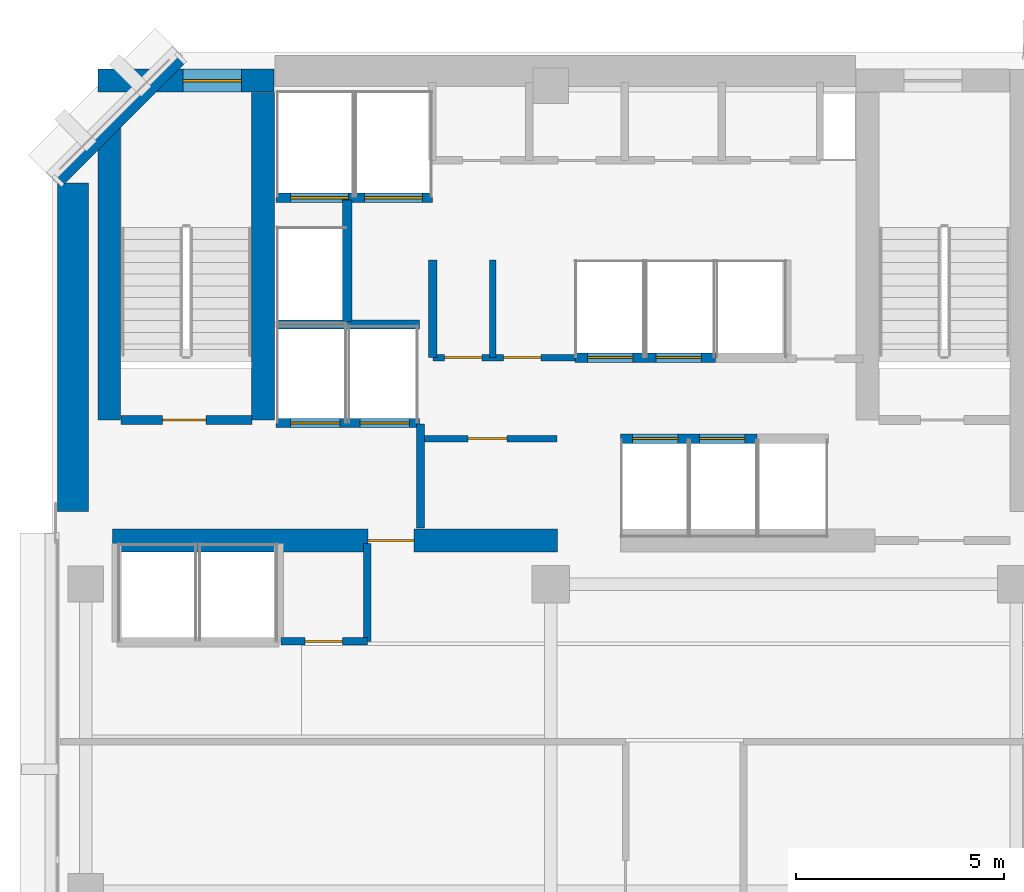
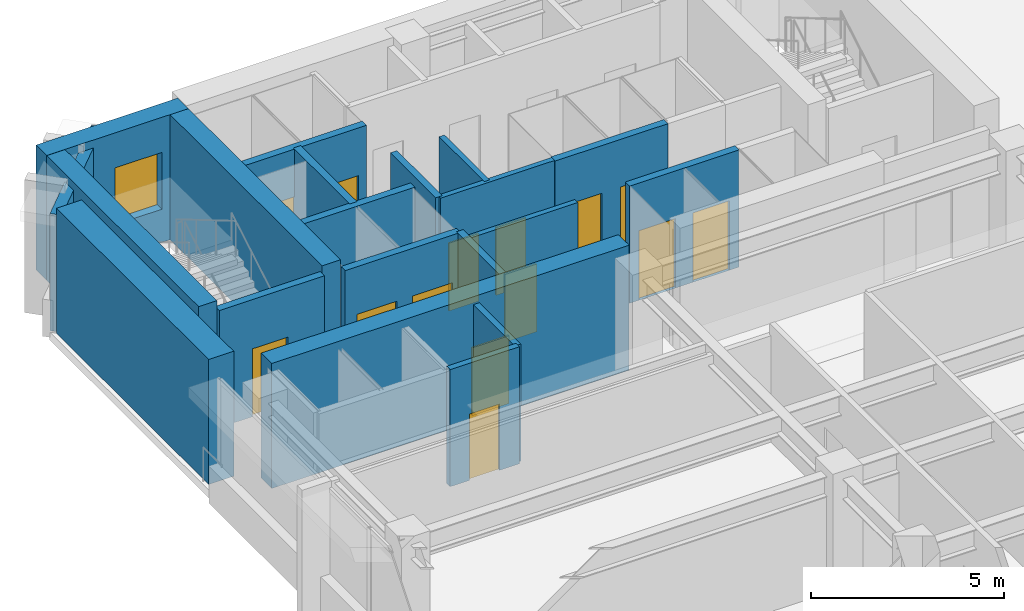
# One storey, part 7 of 11: 20 walls, 14 doors, 1 window, 15 openings.
"""IFC4 building model written with IfcOpenShell, lengths in metres."""

from ifc_helpers import new_model, si_unit, direction, frame, frame_2d, origin, place, context, subcontext, project, spatial, rectangle, extrude, material, layer, layer_set, type_object, element, fill, save


model = new_model("IFC4")

# Units and contexts
model_context = context("Model", 3, precision=1e-05, world=origin(), true_north=direction((0.0, 1.0)))
body_context = subcontext(model_context, "Body", "Model", "MODEL_VIEW")
ifc_project = project(units=[si_unit("LENGTHUNIT", "METRE"), si_unit("AREAUNIT", "SQUARE_METRE"), si_unit("VOLUMEUNIT", "CUBIC_METRE"), si_unit("PLANEANGLEUNIT", "RADIAN"), si_unit("MASSUNIT", "GRAM", prefix="KILO")], contexts=[model_context])

# Site, building, storey
site_placement = place(None, origin())
site = spatial("IfcSite", under=ifc_project, at=site_placement, CompositionType="ELEMENT")
building_placement = place(site_placement, origin())
building = spatial("IfcBuilding", under=site, at=building_placement, Name="Kefirva Bronze Tower", CompositionType="ELEMENT")
storey_placement = place(building_placement, frame((0.0, 0.0, 166.64990234375)))
storey = spatial("IfcBuildingStorey", under=building, at=storey_placement, Name="L40", CompositionType="ELEMENT", Elevation=166.64990234375)

# Wall, opening, door
ifc_material_1 = material(Name="Gypsum fireboard shaftwall")
ifc_layer_1 = layer(ifc_material_1, 0.219970703125, Name="Gypsum fireboard shaftwall")
ifc_layer_set_1 = layer_set([ifc_layer_1], Name="Gypsum fireboard shaftwall")
wall_type_1 = type_object("IfcWallType", Name="Fire-Rated Shaft Enclosure Wall 220mm", PredefinedType="PARTITIONING", material=ifc_layer_set_1)
wall_1_placement = place(storey_placement, frame((1.64990234375, 37.14990234375, 0.0), z_axis=(0.0, 0.0, 1.0), x_axis=(1.0, 0.0, 0.0)))
wall_1 = element("IfcWall", 1, at=wall_1_placement, inside=storey, type_object=wall_type_1, Name="L40 Partition W-L40-ST1S", PredefinedType="PARTITIONING", context=body_context, shape_type="SweptSolid", body=[
    extrude(rectangle(XDim=3.150146484375, YDim=0.219970703125, at=frame_2d((1.5751953125, 0.0))), origin(), (0.0, 0.0, 1.0), 3.710205078125),
])
opening_1_placement = place(wall_1_placement, frame((2.050048828125, 0.0, 0.0), z_axis=(0.0, 0.0, 1.0), x_axis=(-1.0, 0.0, 0.0)))
opening_1 = element("IfcOpeningElement", 2, at=opening_1_placement, cuts=wall_1, Name="Opening L40-D001", PredefinedType="OPENING", context=body_context, shape_type="SweptSolid", body=[
    extrude(rectangle(XDim=1.050048828125, YDim=2.14990234375, at=frame_2d((0.52490234375, 1.074951171875))), frame((0.0, 0.1201171875, 0.0), z_axis=(0.0, -1.0, 0.0), x_axis=(1.0, 0.0, 0.0)), (0.0, 0.0, 1.0), 0.239990234375),
])
ifc_material_2 = material(Name="Painted galvanized steel", Category="steel")
door_type_1 = type_object("IfcDoorType", Name="Fire Stair Enclosure Door 1050x2150 FD90S", OperationType="NOTDEFINED", PredefinedType="DOOR", material=ifc_material_2)
door_1_placement = place(opening_1_placement, origin())
door_1 = element("IfcDoor", 3, at=door_1_placement, inside=storey, type_object=door_type_1, Name="Door L40-D001", OperationType="SINGLE_SWING_RIGHT", OverallHeight=2.14990234375, OverallWidth=1.050048828125, PredefinedType="DOOR", context=body_context, shape_type="SweptSolid", body=[
    extrude(rectangle(XDim=1.050048828125, YDim=2.14990234375, at=frame_2d((0.52490234375, 1.074951171875))), frame((0.0, 0.02490234375, 0.0), z_axis=(0.0, -1.0, 0.0), x_axis=(1.0, 0.0, 0.0)), (0.0, 0.0, 1.0), 0.050048828125),
])
fill(opening_1, door_1)

# Wall, openings, doors
wall_2_placement = place(storey_placement, frame((5.3798828125, 37.080078125, 0.0), z_axis=(0.0, 0.0, 1.0), x_axis=(1.0, 0.0, 0.0)))
wall_2 = element("IfcWall", 4, at=wall_2_placement, inside=storey, type_object=wall_type_1, Name="L40 Partition W-L40-FFS", PredefinedType="PARTITIONING", context=body_context, shape_type="SweptSolid", body=[
    extrude(rectangle(XDim=3.460205078125, YDim=0.219970703125, at=frame_2d((1.72998046875, 0.0))), origin(), (0.0, 0.0, 1.0), 3.710205078125),
])
opening_2_placement = place(wall_2_placement, frame((1.550048828125, 0.0, 0.0), z_axis=(0.0, 0.0, 1.0), x_axis=(-1.0, 0.0, 0.0)))
opening_2 = element("IfcOpeningElement", 5, at=opening_2_placement, cuts=wall_2, Name="Opening L40-LD-FF1", PredefinedType="OPENING", context=body_context, shape_type="SweptSolid", body=[
    extrude(rectangle(XDim=1.199951171875, YDim=2.199951171875, at=frame_2d((0.60009765625, 1.10009765625))), frame((0.0, 0.1201171875, 0.0), z_axis=(0.0, -1.0, 0.0), x_axis=(1.0, 0.0, 0.0)), (0.0, 0.0, 1.0), 0.239990234375),
])
opening_3_placement = place(wall_2_placement, frame((3.219970703125, 0.0, 0.0), z_axis=(0.0, 0.0, 1.0), x_axis=(-1.0, 0.0, 0.0)))
opening_3 = element("IfcOpeningElement", 6, at=opening_3_placement, cuts=wall_2, Name="Opening L40-LD-FF2", PredefinedType="OPENING", context=body_context, shape_type="SweptSolid", body=[
    extrude(rectangle(XDim=1.199951171875, YDim=2.199951171875, at=frame_2d((0.60009765625, 1.10009765625))), frame((0.0, 0.1201171875, 0.0), z_axis=(0.0, -1.0, 0.0), x_axis=(1.0, 0.0, 0.0)), (0.0, 0.0, 1.0), 0.239990234375),
])
ifc_material_3 = material(Name="Stainless steel 316", Category="steel")
door_type_2 = type_object("IfcDoorType", Name="Firefighting Lift Sliding Door 1200x2200", OperationType="SLIDING_TO_RIGHT", PredefinedType="DOOR", material=ifc_material_3)
door_2_placement = place(opening_2_placement, origin())
door_2 = element("IfcDoor", 7, at=door_2_placement, inside=storey, type_object=door_type_2, Name="Door L40-LD-FF1", OperationType="SLIDING_TO_RIGHT", OverallHeight=2.199951171875, OverallWidth=1.199951171875, PredefinedType="DOOR", context=body_context, shape_type="SweptSolid", body=[
    extrude(rectangle(XDim=1.199951171875, YDim=2.199951171875, at=frame_2d((0.60009765625, 1.10009765625))), frame((0.0, 0.02490234375, 0.0), z_axis=(0.0, -1.0, 0.0), x_axis=(1.0, 0.0, 0.0)), (0.0, 0.0, 1.0), 0.050048828125),
])
fill(opening_2, door_2)
door_3_placement = place(opening_3_placement, origin())
door_3 = element("IfcDoor", 8, at=door_3_placement, inside=storey, type_object=door_type_2, Name="Door L40-LD-FF2", OperationType="SLIDING_TO_RIGHT", OverallHeight=2.199951171875, OverallWidth=1.199951171875, PredefinedType="DOOR", context=body_context, shape_type="SweptSolid", body=[
    extrude(rectangle(XDim=1.199951171875, YDim=2.199951171875, at=frame_2d((0.60009765625, 1.10009765625))), frame((0.0, 0.02490234375, 0.0), z_axis=(0.0, -1.0, 0.0), x_axis=(1.0, 0.0, 0.0)), (0.0, 0.0, 1.0), 0.050048828125),
])
fill(opening_3, door_3)

# Wall
wall_3_placement = place(storey_placement, frame((5.3798828125, 39.449951171875, 0.0), z_axis=(0.0, 0.0, 1.0), x_axis=(1.0, 0.0, 0.0)))
element("IfcWall", 9, at=wall_3_placement, inside=storey, type_object=wall_type_1, Name="L40 Partition W-L40-FFN", PredefinedType="PARTITIONING", context=body_context, shape_type="SweptSolid", body=[
    extrude(rectangle(XDim=3.460205078125, YDim=0.219970703125, at=frame_2d((1.72998046875, 0.0))), origin(), (0.0, 0.0, 1.0), 3.710205078125),
])

# Wall, openings, doors
wall_4_placement = place(storey_placement, frame((5.3798828125, 42.5, 0.0), z_axis=(0.0, 0.0, 1.0), x_axis=(1.0, 0.0, 0.0)))
wall_4 = element("IfcWall", 10, at=wall_4_placement, inside=storey, type_object=wall_type_1, Name="L40 Partition W-L40-SVS", PredefinedType="PARTITIONING", context=body_context, shape_type="SweptSolid", body=[
    extrude(rectangle(XDim=3.77001953125, YDim=0.219970703125, at=frame_2d((1.885009765625, 0.0))), origin(), (0.0, 0.0, 1.0), 3.710205078125),
])
opening_4_placement = place(wall_4_placement, frame((1.75, 0.0, 0.0), z_axis=(0.0, 0.0, 1.0), x_axis=(-1.0, 0.0, 0.0)))
opening_4 = element("IfcOpeningElement", 11, at=opening_4_placement, cuts=wall_4, Name="Opening L40-LD-SV1", PredefinedType="OPENING", context=body_context, shape_type="SweptSolid", body=[
    extrude(rectangle(XDim=1.39990234375, YDim=2.199951171875, at=frame_2d((0.699951171875, 1.10009765625))), frame((0.0, 0.1201171875, 0.0), z_axis=(0.0, -1.0, 0.0), x_axis=(1.0, 0.0, 0.0)), (0.0, 0.0, 1.0), 0.239990234375),
])
opening_5_placement = place(wall_4_placement, frame((3.52978515625, 0.0, 0.0), z_axis=(0.0, 0.0, 1.0), x_axis=(-1.0, 0.0, 0.0)))
opening_5 = element("IfcOpeningElement", 12, at=opening_5_placement, cuts=wall_4, Name="Opening L40-LD-SV2", PredefinedType="OPENING", context=body_context, shape_type="SweptSolid", body=[
    extrude(rectangle(XDim=1.39990234375, YDim=2.199951171875, at=frame_2d((0.699951171875, 1.10009765625))), frame((0.0, 0.1201171875, 0.0), z_axis=(0.0, -1.0, 0.0), x_axis=(1.0, 0.0, 0.0)), (0.0, 0.0, 1.0), 0.239990234375),
])
door_type_3 = type_object("IfcDoorType", Name="Goods Lift Bi-Parting Sliding Door 1400x2200", OperationType="SLIDING_TO_LEFT", PredefinedType="DOOR", material=ifc_material_3)
door_4_placement = place(opening_4_placement, origin())
door_4 = element("IfcDoor", 13, at=door_4_placement, inside=storey, type_object=door_type_3, Name="Door L40-LD-SV1", OperationType="SLIDING_TO_LEFT", OverallHeight=2.199951171875, OverallWidth=1.39990234375, PredefinedType="DOOR", context=body_context, shape_type="SweptSolid", body=[
    extrude(rectangle(XDim=1.39990234375, YDim=2.199951171875, at=frame_2d((0.699951171875, 1.10009765625))), frame((0.0, 0.02490234375, 0.0), z_axis=(0.0, -1.0, 0.0), x_axis=(1.0, 0.0, 0.0)), (0.0, 0.0, 1.0), 0.050048828125),
])
fill(opening_4, door_4)
door_5_placement = place(opening_5_placement, origin())
door_5 = element("IfcDoor", 14, at=door_5_placement, inside=storey, type_object=door_type_3, Name="Door L40-LD-SV2", OperationType="SLIDING_TO_LEFT", OverallHeight=2.199951171875, OverallWidth=1.39990234375, PredefinedType="DOOR", context=body_context, shape_type="SweptSolid", body=[
    extrude(rectangle(XDim=1.39990234375, YDim=2.199951171875, at=frame_2d((0.699951171875, 1.10009765625))), frame((0.0, 0.02490234375, 0.0), z_axis=(0.0, -1.0, 0.0), x_axis=(1.0, 0.0, 0.0)), (0.0, 0.0, 1.0), 0.050048828125),
])
fill(opening_5, door_5)

# Walls
wall_5_placement = place(storey_placement, frame((7.10009765625, 39.52001953125, 0.0), z_axis=(0.0, 0.0, 1.0), x_axis=(0.0, 1.0, 0.0)))
element("IfcWall", 15, at=wall_5_placement, inside=storey, type_object=wall_type_1, Name="L40 Partition W-L40-HP3E", PredefinedType="PARTITIONING", context=body_context, shape_type="SweptSolid", body=[
    extrude(rectangle(XDim=2.929931640625, YDim=0.219970703125, at=frame_2d((1.46484375, 0.0))), origin(), (0.0, 0.0, 1.0), 3.710205078125),
])
wall_6_placement = place(storey_placement, frame((9.159912109375, 38.64990234375, 0.0), z_axis=(0.0, 0.0, 1.0), x_axis=(0.0, 1.0, 0.0)))
element("IfcWall", 16, at=wall_6_placement, inside=storey, type_object=wall_type_1, Name="L40 Partition W-L40-LP3W", PredefinedType="PARTITIONING", context=body_context, shape_type="SweptSolid", body=[
    extrude(rectangle(XDim=2.35009765625, YDim=0.199951171875, at=frame_2d((1.175048828125, 0.0))), origin(), (0.0, 0.0, 1.0), 3.710205078125),
])

# Wall, openings, doors
wall_7_placement = place(storey_placement, frame((13.679931640625, 36.699951171875, 0.0), z_axis=(0.0, 0.0, 1.0), x_axis=(1.0, 0.0, 0.0)))
wall_7 = element("IfcWall", 17, at=wall_7_placement, inside=storey, type_object=wall_type_1, Name="L40 Partition W-L40-MPS", PredefinedType="PARTITIONING", context=body_context, shape_type="SweptSolid", body=[
    extrude(rectangle(XDim=3.280029296875, YDim=0.219970703125, at=frame_2d((1.64013671875, 0.0))), origin(), (0.0, 0.0, 1.0), 3.710205078125),
])
opening_6_placement = place(wall_7_placement, frame((0.280029296875, 0.0, 0.0)))
opening_6 = element("IfcOpeningElement", 18, at=opening_6_placement, cuts=wall_7, Name="Opening L40-LD-MP1", PredefinedType="OPENING", context=body_context, shape_type="SweptSolid", body=[
    extrude(rectangle(XDim=1.10009765625, YDim=2.199951171875, at=frame_2d((0.550048828125, 1.10009765625))), frame((0.0, 0.1201171875, 0.0), z_axis=(0.0, -1.0, 0.0), x_axis=(1.0, 0.0, 0.0)), (0.0, 0.0, 1.0), 0.239990234375),
])
opening_7_placement = place(wall_7_placement, frame((1.89990234375, 0.0, 0.0)))
opening_7 = element("IfcOpeningElement", 19, at=opening_7_placement, cuts=wall_7, Name="Opening L40-LD-MP2", PredefinedType="OPENING", context=body_context, shape_type="SweptSolid", body=[
    extrude(rectangle(XDim=1.10009765625, YDim=2.199951171875, at=frame_2d((0.550048828125, 1.10009765625))), frame((0.0, 0.1201171875, 0.0), z_axis=(0.0, -1.0, 0.0), x_axis=(1.0, 0.0, 0.0)), (0.0, 0.0, 1.0), 0.239990234375),
])
door_type_4 = type_object("IfcDoorType", Name="Passenger Lift Sliding Landing Door 1100x2200", OperationType="SLIDING_TO_LEFT", PredefinedType="DOOR", material=ifc_material_3)
door_6_placement = place(opening_6_placement, origin())
door_6 = element("IfcDoor", 20, at=door_6_placement, inside=storey, type_object=door_type_4, Name="Door L40-LD-MP1", OperationType="SLIDING_TO_RIGHT", OverallHeight=2.199951171875, OverallWidth=1.10009765625, PredefinedType="DOOR", context=body_context, shape_type="SweptSolid", body=[
    extrude(rectangle(XDim=1.10009765625, YDim=2.199951171875, at=frame_2d((0.550048828125, 1.10009765625))), frame((0.0, 0.02490234375, 0.0), z_axis=(0.0, -1.0, 0.0), x_axis=(1.0, 0.0, 0.0)), (0.0, 0.0, 1.0), 0.050048828125),
])
fill(opening_6, door_6)
door_7_placement = place(opening_7_placement, origin())
door_7 = element("IfcDoor", 21, at=door_7_placement, inside=storey, type_object=door_type_4, Name="Door L40-LD-MP2", OperationType="SLIDING_TO_RIGHT", OverallHeight=2.199951171875, OverallWidth=1.10009765625, PredefinedType="DOOR", context=body_context, shape_type="SweptSolid", body=[
    extrude(rectangle(XDim=1.10009765625, YDim=2.199951171875, at=frame_2d((0.550048828125, 1.10009765625))), frame((0.0, 0.02490234375, 0.0), z_axis=(0.0, -1.0, 0.0), x_axis=(1.0, 0.0, 0.0)), (0.0, 0.0, 1.0), 0.050048828125),
])
fill(opening_7, door_7)

wall_8_placement = place(storey_placement, frame((12.580078125, 38.64990234375, 0.0), z_axis=(0.0, 0.0, 1.0), x_axis=(1.0, 0.0, 0.0)))
wall_8 = element("IfcWall", 22, at=wall_8_placement, inside=storey, type_object=wall_type_1, Name="L40 Partition W-L40-MPN", PredefinedType="PARTITIONING", context=body_context, shape_type="SweptSolid", body=[
    extrude(rectangle(XDim=3.3798828125, YDim=0.219970703125, at=frame_2d((1.68994140625, 0.0))), origin(), (0.0, 0.0, 1.0), 3.710205078125),
])
opening_8_placement = place(wall_8_placement, frame((0.300048828125, 0.0, 0.0)))
opening_8 = element("IfcOpeningElement", 23, at=opening_8_placement, cuts=wall_8, Name="Opening L40-LD-MP3", PredefinedType="OPENING", context=body_context, shape_type="SweptSolid", body=[
    extrude(rectangle(XDim=1.10009765625, YDim=2.199951171875, at=frame_2d((0.550048828125, 1.10009765625))), frame((0.0, 0.1201171875, 0.0), z_axis=(0.0, -1.0, 0.0), x_axis=(1.0, 0.0, 0.0)), (0.0, 0.0, 1.0), 0.239990234375),
])
opening_9_placement = place(wall_8_placement, frame((1.949951171875, 0.0, 0.0)))
opening_9 = element("IfcOpeningElement", 24, at=opening_9_placement, cuts=wall_8, Name="Opening L40-LD-MP4", PredefinedType="OPENING", context=body_context, shape_type="SweptSolid", body=[
    extrude(rectangle(XDim=1.10009765625, YDim=2.199951171875, at=frame_2d((0.550048828125, 1.10009765625))), frame((0.0, 0.1201171875, 0.0), z_axis=(0.0, -1.0, 0.0), x_axis=(1.0, 0.0, 0.0)), (0.0, 0.0, 1.0), 0.239990234375),
])
door_8_placement = place(opening_8_placement, origin())
door_8 = element("IfcDoor", 25, at=door_8_placement, inside=storey, type_object=door_type_4, Name="Door L40-LD-MP3", OperationType="SLIDING_TO_RIGHT", OverallHeight=2.199951171875, OverallWidth=1.10009765625, PredefinedType="DOOR", context=body_context, shape_type="SweptSolid", body=[
    extrude(rectangle(XDim=1.10009765625, YDim=2.199951171875, at=frame_2d((0.550048828125, 1.10009765625))), frame((0.0, 0.02490234375, 0.0), z_axis=(0.0, -1.0, 0.0), x_axis=(1.0, 0.0, 0.0)), (0.0, 0.0, 1.0), 0.050048828125),
])
fill(opening_8, door_8)
door_9_placement = place(opening_9_placement, origin())
door_9 = element("IfcDoor", 26, at=door_9_placement, inside=storey, type_object=door_type_4, Name="Door L40-LD-MP4", OperationType="SLIDING_TO_RIGHT", OverallHeight=2.199951171875, OverallWidth=1.10009765625, PredefinedType="DOOR", context=body_context, shape_type="SweptSolid", body=[
    extrude(rectangle(XDim=1.10009765625, YDim=2.199951171875, at=frame_2d((0.550048828125, 1.10009765625))), frame((0.0, 0.02490234375, 0.0), z_axis=(0.0, -1.0, 0.0), x_axis=(1.0, 0.0, 0.0)), (0.0, 0.0, 1.0), 0.050048828125),
])
fill(opening_9, door_9)

# Walls
ifc_material_4 = material(Name="Gypsum fireboard barrier")
ifc_layer_2 = layer(ifc_material_4, 0.199951171875, Name="Gypsum fireboard barrier")
ifc_layer_set_2 = layer_set([ifc_layer_2], Name="Gypsum fireboard barrier")
wall_type_2 = type_object("IfcWallType", Name="Firefighting Lobby Barrier Wall 200mm", PredefinedType="PARTITIONING", material=ifc_layer_set_2)
wall_9_placement = place(storey_placement, frame((8.860107421875, 34.550048828125, 0.0), z_axis=(0.0, 0.0, 1.0), x_axis=(0.0, 1.0, 0.0)))
element("IfcWall", 27, at=wall_9_placement, inside=storey, type_object=wall_type_2, Name="L40 Partition W-L40-FFLE", PredefinedType="PARTITIONING", context=body_context, shape_type="SweptSolid", body=[
    extrude(rectangle(XDim=2.5, YDim=0.199951171875, at=frame_2d((1.25, 0.0))), origin(), (0.0, 0.0, 1.0), 3.710205078125),
])
ifc_material_5 = material(Name="Precast concrete C40/50", Category="concrete")
ifc_layer_3 = layer(ifc_material_5, 0.320068359375, Name="Precast concrete C40/50")
ifc_layer_set_3 = layer_set([ifc_layer_3], Name="Precast concrete C40/50")
wall_type_3 = type_object("IfcWallType", Name="Precast Insulated Exterior Wall 320mm", PredefinedType="SOLIDWALL", material=ifc_layer_set_3)
wall_10_placement = place(storey_placement, frame((3.07421875, 45.847900390625, 0.0), z_axis=(0.0, 0.0, 1.0), x_axis=(-0.707106781187, -0.707106781187, 0.0)))
element("IfcWall", 28, at=wall_10_placement, inside=storey, type_object=wall_type_3, Name="L40 Exterior Facade Wall 5", PredefinedType="SOLIDWALL", context=body_context, shape_type="SweptSolid", body=[
    extrude(rectangle(XDim=4.132568359375, YDim=0.320068359375, at=frame_2d((2.06640625, 0.0))), origin(), (0.0, 0.0, 1.0), 3.710205078125),
])

# Wall, opening, door
ifc_material_6 = material(Name="Gypsum acoustic partition")
ifc_layer_4 = layer(ifc_material_6, 0.159912109375, Name="Gypsum acoustic partition")
ifc_layer_set_4 = layer_set([ifc_layer_4], Name="Gypsum acoustic partition")
wall_type_4 = type_object("IfcWallType", Name="Protected Corridor Partition 160mm", PredefinedType="PARTITIONING", material=ifc_layer_set_4)
wall_11_placement = place(storey_placement, frame((8.89990234375, 36.699951171875, 0.0), z_axis=(0.0, 0.0, 1.0), x_axis=(1.0, 0.0, 0.0)))
wall_11 = element("IfcWall", 29, at=wall_11_placement, inside=storey, type_object=wall_type_4, Name="L40 Partition W-L40-RECLP1", PredefinedType="PARTITIONING", context=body_context, shape_type="SweptSolid", body=[
    extrude(rectangle(XDim=3.25, YDim=0.159912109375, at=frame_2d((1.625, 0.0))), origin(), (0.0, 0.0, 1.0), 3.710205078125),
])
opening_10_placement = place(wall_11_placement, frame((1.10009765625, 0.0, 0.0)))
opening_10 = element("IfcOpeningElement", 30, at=opening_10_placement, cuts=wall_11, Name="Opening L40-D-RECLP1", PredefinedType="OPENING", context=body_context, shape_type="SweptSolid", body=[
    extrude(rectangle(XDim=0.949951171875, YDim=2.14990234375, at=frame_2d((0.47509765625, 1.074951171875))), frame((0.0, 0.08984375, 0.0), z_axis=(0.0, -1.0, 0.0), x_axis=(1.0, 0.0, 0.0)), (0.0, 0.0, 1.0), 0.179931640625),
])
ifc_material_7 = material(Name="Acoustic hardwood oak", Category="wood")
door_type_5 = type_object("IfcDoorType", Name="Office & Meeting Room Door 950x2150", OperationType="NOTDEFINED", PredefinedType="DOOR", material=ifc_material_7)
door_10_placement = place(opening_10_placement, origin())
door_10 = element("IfcDoor", 31, at=door_10_placement, inside=storey, type_object=door_type_5, Name="Door L40-D-RECLP1", OperationType="SINGLE_SWING_RIGHT", OverallHeight=2.14990234375, OverallWidth=0.949951171875, PredefinedType="DOOR", context=body_context, shape_type="SweptSolid", body=[
    extrude(rectangle(XDim=0.949951171875, YDim=2.14990234375, at=frame_2d((0.47509765625, 1.074951171875))), frame((0.0, 0.02490234375, 0.0), z_axis=(0.0, -1.0, 0.0), x_axis=(1.0, 0.0, 0.0)), (0.0, 0.0, 1.0), 0.050048828125),
])
fill(opening_10, door_10)

# Wall, openings, doors
wall_12_placement = place(storey_placement, frame((9.159912109375, 38.64990234375, 0.0), z_axis=(0.0, 0.0, 1.0), x_axis=(1.0, 0.0, 0.0)))
wall_12 = element("IfcWall", 32, at=wall_12_placement, inside=storey, type_object=wall_type_4, Name="L40 Partition W-L40-RECLP2", PredefinedType="PARTITIONING", context=body_context, shape_type="SweptSolid", body=[
    extrude(rectangle(XDim=3.420166015625, YDim=0.159912109375, at=frame_2d((1.7099609375, 0.0))), origin(), (0.0, 0.0, 1.0), 3.710205078125),
])
opening_11_placement = place(wall_12_placement, frame((1.179931640625, 0.0, 0.0), z_axis=(0.0, 0.0, 1.0), x_axis=(-1.0, 0.0, 0.0)))
opening_11 = element("IfcOpeningElement", 33, at=opening_11_placement, cuts=wall_12, Name="Opening L40-D-RECLP2A", PredefinedType="OPENING", context=body_context, shape_type="SweptSolid", body=[
    extrude(rectangle(XDim=0.89990234375, YDim=2.14990234375, at=frame_2d((0.449951171875, 1.074951171875))), frame((0.0, 0.08984375, 0.0), z_axis=(0.0, -1.0, 0.0), x_axis=(1.0, 0.0, 0.0)), (0.0, 0.0, 1.0), 0.179931640625),
])
opening_12_placement = place(wall_12_placement, frame((2.599853515625, 0.0, 0.0), z_axis=(0.0, 0.0, 1.0), x_axis=(-1.0, 0.0, 0.0)))
opening_12 = element("IfcOpeningElement", 34, at=opening_12_placement, cuts=wall_12, Name="Opening L40-D-RECLP2B", PredefinedType="OPENING", context=body_context, shape_type="SweptSolid", body=[
    extrude(rectangle(XDim=0.89990234375, YDim=2.14990234375, at=frame_2d((0.449951171875, 1.074951171875))), frame((0.0, 0.08984375, 0.0), z_axis=(0.0, -1.0, 0.0), x_axis=(1.0, 0.0, 0.0)), (0.0, 0.0, 1.0), 0.179931640625),
])
door_type_6 = type_object("IfcDoorType", Name="Core Archive & Server Fire Door 900x2150 FD60S", OperationType="NOTDEFINED", PredefinedType="DOOR", material=ifc_material_2)
door_11_placement = place(opening_11_placement, origin())
door_11 = element("IfcDoor", 35, at=door_11_placement, inside=storey, type_object=door_type_6, Name="Door L40-D-RECLP2A", OperationType="SINGLE_SWING_LEFT", OverallHeight=2.14990234375, OverallWidth=0.89990234375, PredefinedType="DOOR", context=body_context, shape_type="SweptSolid", body=[
    extrude(rectangle(XDim=0.89990234375, YDim=2.14990234375, at=frame_2d((0.449951171875, 1.074951171875))), frame((0.0, 0.02490234375, 0.0), z_axis=(0.0, -1.0, 0.0), x_axis=(1.0, 0.0, 0.0)), (0.0, 0.0, 1.0), 0.050048828125),
])
fill(opening_11, door_11)
door_12_placement = place(opening_12_placement, origin())
door_12 = element("IfcDoor", 36, at=door_12_placement, inside=storey, type_object=door_type_6, Name="Door L40-D-RECLP2B", OperationType="SINGLE_SWING_RIGHT", OverallHeight=2.14990234375, OverallWidth=0.89990234375, PredefinedType="DOOR", context=body_context, shape_type="SweptSolid", body=[
    extrude(rectangle(XDim=0.89990234375, YDim=2.14990234375, at=frame_2d((0.449951171875, 1.074951171875))), frame((0.0, 0.02490234375, 0.0), z_axis=(0.0, -1.0, 0.0), x_axis=(1.0, 0.0, 0.0)), (0.0, 0.0, 1.0), 0.050048828125),
])
fill(opening_12, door_12)

# Wall
wall_13_placement = place(storey_placement, frame((10.60009765625, 38.64990234375, 0.0), z_axis=(0.0, 0.0, 1.0), x_axis=(0.0, 1.0, 0.0)))
element("IfcWall", 37, at=wall_13_placement, inside=storey, type_object=wall_type_4, Name="L40 Partition W-L40-RECLP2D", PredefinedType="PARTITIONING", context=body_context, shape_type="SweptSolid", body=[
    extrude(rectangle(XDim=2.35009765625, YDim=0.159912109375, at=frame_2d((1.175048828125, 0.0))), origin(), (0.0, 0.0, 1.0), 3.710205078125),
])

# Wall, opening, window
ifc_material_8 = material(Name="Concrete C50/60", Category="concrete")
ifc_layer_5 = layer(ifc_material_8, 0.550048828125, Name="Concrete C50/60")
ifc_layer_set_5 = layer_set([ifc_layer_5], Name="Concrete C50/60")
wall_type_5 = type_object("IfcWallType", Name="RC Rear Core Exterior Wall 550mm", PredefinedType="SHEAR", material=ifc_layer_set_5)
wall_14_placement = place(storey_placement, frame((1.10009765625, 45.320068359375, 0.0), z_axis=(0.0, 0.0, 1.0), x_axis=(1.0, 0.0, 0.0)))
wall_14 = element("IfcWall", 38, at=wall_14_placement, inside=storey, type_object=wall_type_5, Name="L40 Stair 1 North Shear Wall", PredefinedType="SHEAR", context=body_context, shape_type="SweptSolid", body=[
    extrude(rectangle(XDim=4.239990234375, YDim=0.550048828125, at=frame_2d((2.1201171875, 0.0))), origin(), (0.0, 0.0, 1.0), 3.960205078125),
])
opening_13_placement = place(wall_14_placement, frame((2.050048828125, 0.0, 1.050048828125)))
opening_13 = element("IfcOpeningElement", 39, at=opening_13_placement, cuts=wall_14, Name="Opening WN-03", PredefinedType="OPENING", context=body_context, shape_type="SweptSolid", body=[
    extrude(rectangle(XDim=1.39990234375, YDim=1.800048828125, at=frame_2d((0.699951171875, 0.89990234375))), frame((0.0, 0.28515625, 0.0), z_axis=(0.0, -1.0, 0.0), x_axis=(1.0, 0.0, 0.0)), (0.0, 0.0, 1.0), 0.570068359375),
])
ifc_material_9 = material(Name="Laminated low-E double glazing", Category="glass")
window_type = type_object("IfcWindowType", Name="Rear-Core Stair Daylight Window 1400x1800", PartitioningType="SINGLE_PANEL", PredefinedType="WINDOW", material=ifc_material_9)
window_placement = place(opening_13_placement, origin())
window = element("IfcWindow", 40, at=window_placement, inside=storey, type_object=window_type, Name="L40 Stair 1 Daylight Window", OverallHeight=1.800048828125, OverallWidth=1.39990234375, PartitioningType="SINGLE_PANEL", PredefinedType="WINDOW", context=body_context, shape_type="SweptSolid", body=[
    extrude(rectangle(XDim=1.39990234375, YDim=1.800048828125, at=frame_2d((0.699951171875, 0.89990234375))), frame((0.0, 0.030029296875, 0.0), z_axis=(0.0, -1.0, 0.0), x_axis=(1.0, 0.0, 0.0)), (0.0, 0.0, 1.0), 0.06005859375),
])
fill(opening_13, window)

# Walls
ifc_material_10 = material(Name="Concrete C60/75", Category="concrete")
ifc_layer_6 = layer(ifc_material_10, 0.75, Name="Concrete C60/75")
ifc_layer_set_6 = layer_set([ifc_layer_6], Name="Concrete C60/75")
wall_type_6 = type_object("IfcWallType", Name="RC Rear Core Exterior Wall 750mm", PredefinedType="SHEAR", material=ifc_layer_set_6)
wall_15_placement = place(storey_placement, frame((0.5, 34.949951171875, 0.0), z_axis=(0.0, 0.0, 1.0), x_axis=(0.0, 1.0, 0.0)))
element("IfcWall", 41, at=wall_15_placement, inside=storey, type_object=wall_type_6, Name="L40 Rear Core West Shear Wall", PredefinedType="SHEAR", context=body_context, shape_type="SweptSolid", body=[
    extrude(rectangle(XDim=7.900146484375, YDim=0.75, at=frame_2d((3.9501953125, 0.0))), origin(), (0.0, 0.0, 1.0), 3.960205078125),
])
ifc_layer_7 = layer(ifc_material_8, 0.550048828125, Name="Concrete C50/60")
ifc_layer_set_7 = layer_set([ifc_layer_7], Name="Concrete C50/60")
wall_type_7 = type_object("IfcWallType", Name="RC Rear Core Interior Wall 550mm", PredefinedType="SHEAR", material=ifc_layer_set_7)
for number, where, z_axis, x_axis, name in (
    (42, (1.3701171875, 37.14990234375, 0.0), (0.0, 0.0, 1.0), (0.0, 1.0, 0.0), "L40 Stair 1 West Shear Wall"),
    (43, (5.070068359375, 37.14990234375, 0.0), (0.0, 0.0, 1.0), (0.0, 1.0, 0.0), "L40 Stair 1 East Shear Wall"),
):
    element("IfcWall", number, at=place(storey_placement, frame(where, z_axis=z_axis, x_axis=x_axis)), inside=storey, type_object=wall_type_7, Name=name, PredefinedType="SHEAR", context=body_context, shape_type="SweptSolid", body=[
        extrude(rectangle(XDim=7.89013671875, YDim=0.550048828125, at=frame_2d((3.945068359375, 0.0))), origin(), (0.0, 0.0, 1.0), 3.960205078125),
    ])

# Wall, opening, door
ifc_layer_8 = layer(ifc_material_10, 0.75, Name="Concrete C60/75")
ifc_layer_set_8 = layer_set([ifc_layer_8], Name="Concrete C60/75")
wall_type_8 = type_object("IfcWallType", Name="RC Rear Core Interior Wall 750mm", PredefinedType="SHEAR", material=ifc_layer_set_8)
wall_16_placement = place(storey_placement, frame((1.449951171875, 34.25, 0.0), z_axis=(0.0, 0.0, 1.0), x_axis=(1.0, 0.0, 0.0)))
wall_16 = element("IfcWall", 44, at=wall_16_placement, inside=storey, type_object=wall_type_8, Name="L40 Rear Core South-West Shear Wall", PredefinedType="SHEAR", context=body_context, shape_type="SweptSolid", body=[
    extrude(rectangle(XDim=10.7099609375, YDim=0.550048828125, at=frame_2d((5.35498046875, 0.0))), origin(), (0.0, 0.0, 1.0), 3.960205078125),
])
opening_14_placement = place(wall_16_placement, frame((7.25, 0.0, 0.0), z_axis=(0.0, 0.0, 1.0), x_axis=(-1.0, 0.0, 0.0)))
opening_14 = element("IfcOpeningElement", 45, at=opening_14_placement, cuts=wall_16, Name="Opening L40-D002", PredefinedType="OPENING", context=body_context, shape_type="SweptSolid", body=[
    extrude(rectangle(XDim=1.10009765625, YDim=2.14990234375, at=frame_2d((0.550048828125, 1.074951171875))), frame((0.0, 0.28515625, 0.0), z_axis=(0.0, -1.0, 0.0), x_axis=(1.0, 0.0, 0.0)), (0.0, 0.0, 1.0), 0.570068359375),
])
door_type_7 = type_object("IfcDoorType", Name="Firefighting Lobby Smoke Door 1100x2150 FD60S", OperationType="NOTDEFINED", PredefinedType="DOOR", material=ifc_material_2)
door_13_placement = place(opening_14_placement, origin())
door_13 = element("IfcDoor", 46, at=door_13_placement, inside=storey, type_object=door_type_7, Name="Door L40-D002", OperationType="SINGLE_SWING_LEFT", OverallHeight=2.14990234375, OverallWidth=1.10009765625, PredefinedType="DOOR", context=body_context, shape_type="SweptSolid", body=[
    extrude(rectangle(XDim=1.10009765625, YDim=2.14990234375, at=frame_2d((0.550048828125, 1.074951171875))), frame((0.0, 0.02490234375, 0.0), z_axis=(0.0, -1.0, 0.0), x_axis=(1.0, 0.0, 0.0)), (0.0, 0.0, 1.0), 0.050048828125),
])
fill(opening_14, door_13)

ifc_material_11 = material(Name="Moisture-resistant partition")
ifc_layer_9 = layer(ifc_material_11, 0.179931640625, Name="Moisture-resistant partition")
ifc_layer_set_9 = layer_set([ifc_layer_9], Name="Moisture-resistant partition")
wall_type_9 = type_object("IfcWallType", Name="Sanitary Plumbing Chase Wall 180mm", PredefinedType="PLUMBINGWALL", material=ifc_layer_set_9)
wall_17_placement = place(storey_placement, frame((5.5, 31.820068359375, 0.0), z_axis=(0.0, 0.0, 1.0), x_axis=(1.0, 0.0, 0.0)))
wall_17 = element("IfcWall", 47, at=wall_17_placement, inside=storey, type_object=wall_type_9, Name="L40 Partition W-L40-TCS", PredefinedType="PLUMBINGWALL", context=body_context, shape_type="SweptSolid", body=[
    extrude(rectangle(XDim=2.080078125, YDim=0.179931640625, at=frame_2d((1.0400390625, 0.0))), origin(), (0.0, 0.0, 1.0), 3.710205078125),
])
opening_15_placement = place(wall_17_placement, frame((1.47998046875, 0.0, 0.0), z_axis=(0.0, 0.0, 1.0), x_axis=(-1.0, 0.0, 0.0)))
opening_15 = element("IfcOpeningElement", 48, at=opening_15_placement, cuts=wall_17, Name="Opening L40-D-TCL1", PredefinedType="OPENING", context=body_context, shape_type="SweptSolid", body=[
    extrude(rectangle(XDim=0.89990234375, YDim=2.10009765625, at=frame_2d((0.449951171875, 1.050048828125))), frame((0.0, 0.10009765625, 0.0), z_axis=(0.0, -1.0, 0.0), x_axis=(1.0, 0.0, 0.0)), (0.0, 0.0, 1.0), 0.199951171875),
])
door_type_8 = type_object("IfcDoorType", Name="Telecom & Meter Fire Door 900x2100 FD60S", OperationType="NOTDEFINED", PredefinedType="DOOR", material=ifc_material_2)
door_14_placement = place(opening_15_placement, origin())
door_14 = element("IfcDoor", 49, at=door_14_placement, inside=storey, type_object=door_type_8, Name="Door L40-D-TCL1", OperationType="SINGLE_SWING_LEFT", OverallHeight=2.10009765625, OverallWidth=0.89990234375, PredefinedType="DOOR", context=body_context, shape_type="SweptSolid", body=[
    extrude(rectangle(XDim=0.89990234375, YDim=2.10009765625, at=frame_2d((0.449951171875, 1.050048828125))), frame((0.0, 0.02490234375, 0.0), z_axis=(0.0, -1.0, 0.0), x_axis=(1.0, 0.0, 0.0)), (0.0, 0.0, 1.0), 0.050048828125),
])
fill(opening_15, door_14)

# Wall
wall_18_placement = place(storey_placement, frame((7.580078125, 31.820068359375, 0.0), z_axis=(0.0, 0.0, 1.0), x_axis=(0.0, 1.0, 0.0)))
element("IfcWall", 50, at=wall_18_placement, inside=storey, type_object=wall_type_9, Name="L40 Partition W-L40-TCE", PredefinedType="PLUMBINGWALL", context=body_context, shape_type="SweptSolid", body=[
    extrude(rectangle(XDim=2.35986328125, YDim=0.179931640625, at=frame_2d((1.179931640625, 0.0))), origin(), (0.0, 0.0, 1.0), 3.710205078125),
])

save(model, "model.ifc")
